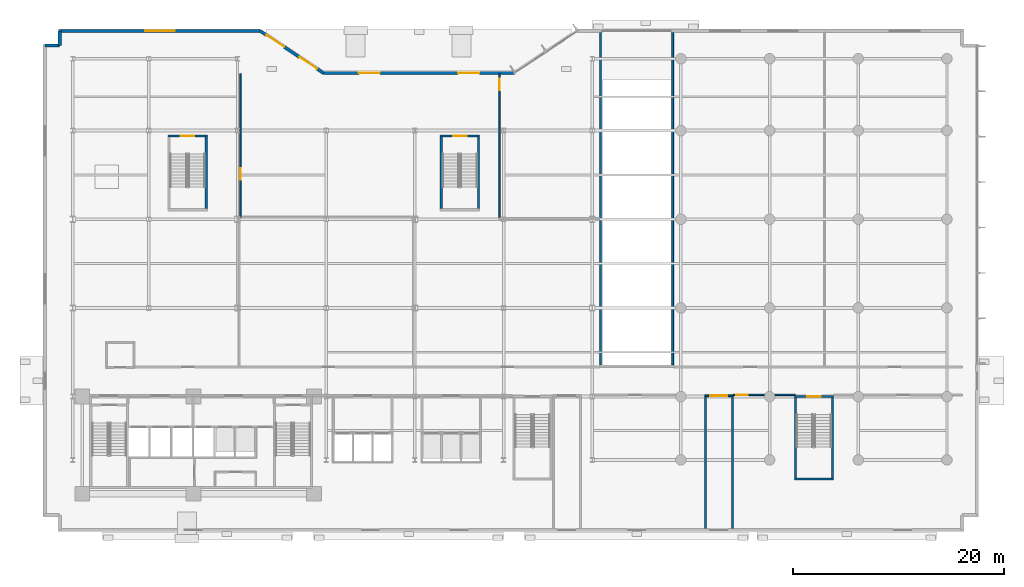
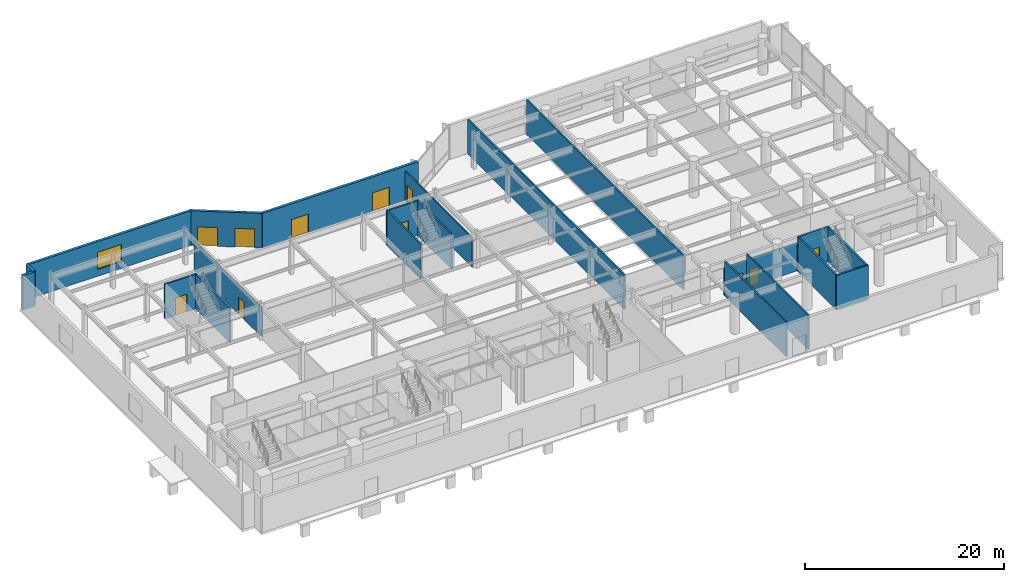
# One storey, part 16 of 26: 22 walls, 11 doors, 1 window, 12 openings.
"""IFC4 building model written with IfcOpenShell, lengths in metres."""

from ifc_helpers import new_model, si_unit, direction, frame, frame_2d, origin, place, context, subcontext, project, spatial, rectangle, extrude, material, layer, layer_set, type_object, element, fill, save


model = new_model("IFC4")

# Units and contexts
model_context = context("Model", 3, precision=1e-05, world=origin(), true_north=direction((0.0, 1.0)))
body_context = subcontext(model_context, "Body", "Model", "MODEL_VIEW")
ifc_project = project(units=[si_unit("LENGTHUNIT", "METRE"), si_unit("AREAUNIT", "SQUARE_METRE"), si_unit("VOLUMEUNIT", "CUBIC_METRE"), si_unit("PLANEANGLEUNIT", "RADIAN"), si_unit("MASSUNIT", "GRAM", prefix="KILO")], contexts=[model_context])

# Site, building, storey
site_placement = place(None, origin())
site = spatial("IfcSite", under=ifc_project, at=site_placement, CompositionType="ELEMENT")
building_placement = place(site_placement, origin())
building = spatial("IfcBuilding", under=site, at=building_placement, Name="Varnakote Quay Hospital", CompositionType="ELEMENT")
storey_placement = place(building_placement, origin())
storey = spatial("IfcBuildingStorey", under=building, at=storey_placement, Name="L00", CompositionType="ELEMENT", Elevation=0.0)

# Walls
ifc_material_1 = material(Name="Fire-rated acoustic gypsum stud wall", Category="gypsum")
ifc_layer_1 = layer(ifc_material_1, 0.159912109375)
ifc_layer_set_1 = layer_set([ifc_layer_1], Name="Fire-rated acoustic gypsum stud wall")
wall_type_1 = type_object("IfcWallType", Name="WL-COMP-160", PredefinedType="PARTITIONING", material=ifc_layer_set_1)
for number, where, z_axis, x_axis, name in (
    (1, (61.1201171875, -0.47998046875, 0.0), (0.0, 0.0, 1.0), (0.0, 1.0, 0.0), "L00 Protected Exit Passage EX3 West Wall"),
    (2, (63.679931640625, -0.47998046875, 0.0), (0.0, 0.0, 1.0), (0.0, 1.0, 0.0), "L00 Protected Exit Passage EX3 East Wall"),
):
    element("IfcWall", number, at=place(storey_placement, frame(where, z_axis=z_axis, x_axis=x_axis)), inside=storey, type_object=wall_type_1, Name=name, PredefinedType="PARTITIONING", context=body_context, shape_type="SweptSolid", body=[
        extrude(rectangle(XDim=12.47998046875, YDim=0.159912109375, at=frame_2d((6.239990234375, 0.0))), origin(), (0.0, 0.0, 1.0), 4.25),
    ])

# Wall, opening, door
wall_1_placement = place(storey_placement, frame((61.06005859375, 12.080078125, 0.0), z_axis=(0.0, 0.0, 1.0), x_axis=(1.0, 0.0, 0.0)))
wall_1 = element("IfcWall", 3, at=wall_1_placement, inside=storey, type_object=wall_type_1, Name="L00 Protected Exit Passage EX3 Smoke Door Wall", PredefinedType="PARTITIONING", context=body_context, shape_type="SweptSolid", body=[
    extrude(rectangle(XDim=2.679931640625, YDim=0.159912109375, at=frame_2d((1.33984375, 0.0))), origin(), (0.0, 0.0, 1.0), 3.425048828125),
])
opening_1_placement = place(wall_1_placement, frame((0.5400390625, 0.0, 0.0)))
opening_1 = element("IfcOpeningElement", 4, at=opening_1_placement, cuts=wall_1, Name="Opening D-EX3-L00", PredefinedType="OPENING", context=body_context, shape_type="SweptSolid", body=[
    extrude(rectangle(XDim=1.60009765625, YDim=2.050048828125, at=frame_2d((0.800048828125, 1.02490234375))), frame((0.0, 0.08984375, 0.0), z_axis=(0.0, -1.0, 0.0), x_axis=(1.0, 0.0, 0.0)), (0.0, 0.0, 1.0), 0.179931640625),
])
ifc_material_2 = material(Name="Fire-rated double smoke lobby door")
door_type_1 = type_object("IfcDoorType", Name="DR-LOBBY-FD60S-1600x2150", OperationType="NOTDEFINED", PredefinedType="DOOR", material=ifc_material_2)
door_1_placement = place(opening_1_placement, origin())
door_1 = element("IfcDoor", 5, at=door_1_placement, inside=storey, type_object=door_type_1, Name="L00 Protected Exit Passage EX3 Smoke Door", OperationType="DOUBLE_DOOR_SINGLE_SWING", OverallHeight=2.050048828125, OverallWidth=1.60009765625, PredefinedType="DOOR", context=body_context, shape_type="SweptSolid", body=[
    extrude(rectangle(XDim=1.60009765625, YDim=2.050048828125, at=frame_2d((0.800048828125, 1.02490234375))), frame((0.0, 0.02490234375, 0.0), z_axis=(0.0, -1.0, 0.0), x_axis=(1.0, 0.0, 0.0)), (0.0, 0.0, 1.0), 0.050048828125),
])
fill(opening_1, door_1)

# Walls
ifc_material_3 = material(Name="Fire-rated acoustic gypsum stud wall", Category="gypsum")
ifc_layer_2 = layer(ifc_material_3, 0.179931640625)
ifc_layer_set_2 = layer_set([ifc_layer_2], Name="Fire-rated acoustic gypsum stud wall")
wall_type_2 = type_object("IfcWallType", Name="WL-COMP-180", PredefinedType="PARTITIONING", material=ifc_layer_set_2)
for number, where, z_axis, x_axis, name in (
    (6, (51.179931640625, 14.969970703125, 0.0), (0.0, 0.0, 1.0), (0.0, 1.0, 0.0), "L00 Vehicle Ramp Portal West Enclosure Wall"),
    (7, (58.02001953125, 14.969970703125, 0.0), (0.0, 0.0, 1.0), (0.0, 1.0, 0.0), "L00 Vehicle Ramp Portal East Enclosure Wall"),
):
    element("IfcWall", number, at=place(storey_placement, frame(where, z_axis=z_axis, x_axis=x_axis)), inside=storey, type_object=wall_type_2, Name=name, PredefinedType="PARTITIONING", context=body_context, shape_type="SweptSolid", body=[
        extrude(rectangle(XDim=31.510009765625, YDim=0.179931640625, at=frame_2d((15.7548828125, 0.0))), origin(), (0.0, 0.0, 1.0), 4.25),
    ])

# Wall, openings, doors
ifc_material_4 = material(Name="Precast concrete N50 (f'c 50 MPa)", Category="concrete")
ifc_layer_3 = layer(ifc_material_4, 0.300048828125)
ifc_layer_set_3 = layer_set([ifc_layer_3], Name="Precast concrete N50 (f'c 50 MPa)")
wall_type_3 = type_object("IfcWallType", Name="WL-EXT-BRICK-300", PredefinedType="STANDARD", material=ifc_layer_set_3)
wall_2_placement = place(storey_placement, frame((24.95166015625, 42.639892578125, 0.0), z_axis=(0.0, 0.0, 1.0), x_axis=(1.0, 0.0, 0.0)))
wall_2 = element("IfcWall", 8, at=wall_2_placement, inside=storey, type_object=wall_type_3, Name="L00 Brick-Faced Precast Exterior Wall", PredefinedType="STANDARD", context=body_context, shape_type="SweptSolid", body=[
    extrude(rectangle(XDim=18.0966796875, YDim=0.300048828125, at=frame_2d((9.04833984375, 0.0))), origin(), (0.0, 0.0, 1.0), 4.25),
])
opening_2_placement = place(wall_2_placement, frame((3.34326171875, 0.0, 0.0)))
opening_2 = element("IfcOpeningElement", 9, at=opening_2_placement, cuts=wall_2, Name="Opening DE-L00-10", PredefinedType="OPENING", context=body_context, shape_type="SweptSolid", body=[
    extrude(rectangle(XDim=2.0, YDim=2.300048828125, at=frame_2d((1.0, 1.14990234375))), frame((0.0, 0.159912109375, 0.0), z_axis=(0.0, -1.0, 0.0), x_axis=(1.0, 0.0, 0.0)), (0.0, 0.0, 1.0), 0.320068359375),
])
opening_3_placement = place(wall_2_placement, frame((12.753662109375, 0.0, 0.0)))
opening_3 = element("IfcOpeningElement", 10, at=opening_3_placement, cuts=wall_2, Name="Opening DE-L00-11", PredefinedType="OPENING", context=body_context, shape_type="SweptSolid", body=[
    extrude(rectangle(XDim=2.0, YDim=2.300048828125, at=frame_2d((1.0, 1.14990234375))), frame((0.0, 0.159912109375, 0.0), z_axis=(0.0, -1.0, 0.0), x_axis=(1.0, 0.0, 0.0)), (0.0, 0.0, 1.0), 0.320068359375),
])
ifc_material_5 = material(Name="Anodised aluminium glazed entrance door", Category="aluminium")
door_type_2 = type_object("IfcDoorType", Name="DR-EXT-CONC-2000x2300", OperationType="NOTDEFINED", PredefinedType="DOOR", material=ifc_material_5)
door_2_placement = place(opening_2_placement, origin())
door_2 = element("IfcDoor", 11, at=door_2_placement, inside=storey, type_object=door_type_2, Name="L00 Street & Waterfront Pedestrian Final Exit Door", OperationType="DOUBLE_DOOR_SINGLE_SWING", OverallHeight=2.300048828125, OverallWidth=2.0, PredefinedType="DOOR", context=body_context, shape_type="SweptSolid", body=[
    extrude(rectangle(XDim=2.0, YDim=2.300048828125, at=frame_2d((1.0, 1.14990234375))), frame((0.0, 0.02490234375, 0.0), z_axis=(0.0, -1.0, 0.0), x_axis=(1.0, 0.0, 0.0)), (0.0, 0.0, 1.0), 0.050048828125),
])
fill(opening_2, door_2)
door_3_placement = place(opening_3_placement, origin())
door_3 = element("IfcDoor", 12, at=door_3_placement, inside=storey, type_object=door_type_2, Name="L00 Street & Waterfront Pedestrian Final Exit Door", OperationType="DOUBLE_DOOR_SINGLE_SWING", OverallHeight=2.300048828125, OverallWidth=2.0, PredefinedType="DOOR", context=body_context, shape_type="SweptSolid", body=[
    extrude(rectangle(XDim=2.0, YDim=2.300048828125, at=frame_2d((1.0, 1.14990234375))), frame((0.0, 0.02490234375, 0.0), z_axis=(0.0, -1.0, 0.0), x_axis=(1.0, 0.0, 0.0)), (0.0, 0.0, 1.0), 0.050048828125),
])
fill(opening_3, door_3)

wall_3_placement = place(storey_placement, frame((18.95166015625, 46.639892578125, 0.0), z_axis=(0.0, 0.0, 1.0), x_axis=(0.832050294338, -0.554700196225, 0.0)))
wall_3 = element("IfcWall", 13, at=wall_3_placement, inside=storey, type_object=wall_type_3, Name="L00 Brick-Faced Precast Exterior Wall", PredefinedType="STANDARD", context=body_context, shape_type="SweptSolid", body=[
    extrude(rectangle(XDim=7.211181640625, YDim=0.300048828125, at=frame_2d((3.60546875, 0.0))), origin(), (0.0, 0.0, 1.0), 4.25),
])
opening_4_placement = place(wall_3_placement, frame((0.730712890625, 0.0, 0.0)))
opening_4 = element("IfcOpeningElement", 14, at=opening_4_placement, cuts=wall_3, Name="Opening DE-L00-12", PredefinedType="OPENING", context=body_context, shape_type="SweptSolid", body=[
    extrude(rectangle(XDim=2.0, YDim=2.300048828125, at=frame_2d((1.0, 1.14990234375))), frame((0.0, 0.159912109375, 0.0), z_axis=(0.0, -1.0, 0.0), x_axis=(1.0, 0.0, 0.0)), (0.0, 0.0, 1.0), 0.320068359375),
])
opening_5_placement = place(wall_3_placement, frame((4.48046875, 0.0, 0.0)))
opening_5 = element("IfcOpeningElement", 15, at=opening_5_placement, cuts=wall_3, Name="Opening DE-L00-13", PredefinedType="OPENING", context=body_context, shape_type="SweptSolid", body=[
    extrude(rectangle(XDim=2.0, YDim=2.300048828125, at=frame_2d((1.0, 1.14990234375))), frame((0.0, 0.159912109375, 0.0), z_axis=(0.0, -1.0, 0.0), x_axis=(1.0, 0.0, 0.0)), (0.0, 0.0, 1.0), 0.320068359375),
])
door_4_placement = place(opening_4_placement, origin())
door_4 = element("IfcDoor", 16, at=door_4_placement, inside=storey, type_object=door_type_2, Name="L00 Street & Waterfront Pedestrian Final Exit Door", OperationType="DOUBLE_DOOR_SINGLE_SWING", OverallHeight=2.300048828125, OverallWidth=2.0, PredefinedType="DOOR", context=body_context, shape_type="SweptSolid", body=[
    extrude(rectangle(XDim=2.0, YDim=2.300048828125, at=frame_2d((1.0, 1.14990234375))), frame((0.0, 0.02490234375, 0.0), z_axis=(0.0, -1.0, 0.0), x_axis=(1.0, 0.0, 0.0)), (0.0, 0.0, 1.0), 0.050048828125),
])
fill(opening_4, door_4)
door_5_placement = place(opening_5_placement, origin())
door_5 = element("IfcDoor", 17, at=door_5_placement, inside=storey, type_object=door_type_2, Name="L00 Street & Waterfront Pedestrian Final Exit Door", OperationType="DOUBLE_DOOR_SINGLE_SWING", OverallHeight=2.300048828125, OverallWidth=2.0, PredefinedType="DOOR", context=body_context, shape_type="SweptSolid", body=[
    extrude(rectangle(XDim=2.0, YDim=2.300048828125, at=frame_2d((1.0, 1.14990234375))), frame((0.0, 0.02490234375, 0.0), z_axis=(0.0, -1.0, 0.0), x_axis=(1.0, 0.0, 0.0)), (0.0, 0.0, 1.0), 0.050048828125),
])
fill(opening_5, door_5)

# Wall, opening, window
wall_4_placement = place(storey_placement, frame((18.95166015625, 46.639892578125, 0.0), z_axis=(0.0, 0.0, 1.0), x_axis=(-1.0, 0.0, 0.0)))
wall_4 = element("IfcWall", 18, at=wall_4_placement, inside=storey, type_object=wall_type_3, Name="L00 Brick-Faced Precast Exterior Wall", PredefinedType="STANDARD", context=body_context, shape_type="SweptSolid", body=[
    extrude(rectangle(XDim=18.99169921875, YDim=0.300048828125, at=frame_2d((9.495849609375, 0.0))), origin(), (0.0, 0.0, 1.0), 4.25),
])
opening_6_placement = place(wall_4_placement, frame((8.095703125, 0.0, 0.85009765625)))
opening_6 = element("IfcOpeningElement", 19, at=opening_6_placement, cuts=wall_4, Name="Opening WN-0004", PredefinedType="OPENING", context=body_context, shape_type="SweptSolid", body=[
    extrude(rectangle(XDim=2.800048828125, YDim=2.10009765625, at=frame_2d((1.39990234375, 1.050048828125))), frame((0.0, 0.159912109375, 0.0), z_axis=(0.0, -1.0, 0.0), x_axis=(1.0, 0.0, 0.0)), (0.0, 0.0, 1.0), 0.320068359375),
])
ifc_material_6 = material(Name="Double-glazed acoustic laminated glass", Category="glass")
window_type = type_object("IfcWindowType", Name="WIN-POD-2800x2100", PartitioningType="SINGLE_PANEL", PredefinedType="WINDOW", material=ifc_material_6)
window_placement = place(opening_6_placement, origin())
window = element("IfcWindow", 20, at=window_placement, inside=storey, type_object=window_type, Name="L00 Solar-Control Clinical Window", OverallHeight=2.10009765625, OverallWidth=2.800048828125, PartitioningType="SINGLE_PANEL", PredefinedType="WINDOW", context=body_context, shape_type="SweptSolid", body=[
    extrude(rectangle(XDim=2.800048828125, YDim=2.10009765625, at=frame_2d((1.39990234375, 1.050048828125))), frame((0.0, 0.030029296875, 0.0), z_axis=(0.0, -1.0, 0.0), x_axis=(1.0, 0.0, 0.0)), (0.0, 0.0, 1.0), 0.06005859375),
])
fill(opening_6, window)

# Walls
for number, where, z_axis, x_axis, name in (
    (21, (-0.0400390625, 46.639892578125, 0.0), (0.0, 0.0, 1.0), (0.0, -1.0, 0.0), "L00 Brick-Faced Precast Exterior Wall"),
    (22, (-0.0400390625, 45.239990234375, 0.0), (0.0, 0.0, 1.0), (-1.0, 0.0, 0.0), "L00 Brick-Faced Precast Exterior Wall"),
):
    element("IfcWall", number, at=place(storey_placement, frame(where, z_axis=z_axis, x_axis=x_axis)), inside=storey, type_object=wall_type_3, Name=name, PredefinedType="STANDARD", context=body_context, shape_type="SweptSolid", body=[
        extrude(rectangle(XDim=1.39990234375, YDim=0.300048828125, at=frame_2d((0.699951171875, 0.0))), origin(), (0.0, 0.0, 1.0), 4.25),
    ])
ifc_material_7 = material(Name="Concrete N50 (f'c 50 MPa)", Category="concrete")
ifc_layer_4 = layer(ifc_material_7, 0.199951171875)
ifc_layer_set_4 = layer_set([ifc_layer_4], Name="Concrete N50 (f'c 50 MPa)")
wall_type_4 = type_object("IfcWallType", Name="WL-SHAFT-N50-200", PredefinedType="SHEAR", material=ifc_layer_set_4)
wall_5_placement = place(storey_placement, frame((69.550048828125, 4.199951171875, 0.0), z_axis=(0.0, 0.0, 1.0), x_axis=(1.0, 0.0, 0.0)))
element("IfcWall", 23, at=wall_5_placement, inside=storey, type_object=wall_type_4, Name="L00 Stair ST6 South Shaft Wall", PredefinedType="SHEAR", context=body_context, shape_type="SweptSolid", body=[
    extrude(rectangle(XDim=3.699951171875, YDim=0.199951171875, at=frame_2d((1.85009765625, 0.0))), origin(), (0.0, 0.0, 1.0), 4.25),
])
for number, where, z_axis, x_axis, name in (
    (24, (69.64990234375, 4.300048828125, 0.0), (0.0, 0.0, 1.0), (0.0, 1.0, 0.0), "L00 Stair ST6 West Shaft Wall"),
    (25, (73.14990234375, 4.300048828125, 0.0), (0.0, 0.0, 1.0), (0.0, 1.0, 0.0), "L00 Stair ST6 East Shaft Wall"),
):
    element("IfcWall", number, at=place(storey_placement, frame(where, z_axis=z_axis, x_axis=x_axis)), inside=storey, type_object=wall_type_4, Name=name, PredefinedType="SHEAR", context=body_context, shape_type="SweptSolid", body=[
        extrude(rectangle(XDim=7.599853515625, YDim=0.199951171875, at=frame_2d((3.7998046875, 0.0))), origin(), (0.0, 0.0, 1.0), 4.25),
    ])

# Wall, opening, door
wall_6_placement = place(storey_placement, frame((69.550048828125, 12.0, 0.0), z_axis=(0.0, 0.0, 1.0), x_axis=(1.0, 0.0, 0.0)))
wall_6 = element("IfcWall", 26, at=wall_6_placement, inside=storey, type_object=wall_type_4, Name="L00 Stair ST6 Exit Wall", PredefinedType="SHEAR", context=body_context, shape_type="SweptSolid", body=[
    extrude(rectangle(XDim=3.699951171875, YDim=0.199951171875, at=frame_2d((1.85009765625, 0.0))), origin(), (0.0, 0.0, 1.0), 4.25),
])
opening_7_placement = place(wall_6_placement, frame((1.199951171875, 0.0, 0.0)))
opening_7 = element("IfcOpeningElement", 27, at=opening_7_placement, cuts=wall_6, Name="Opening D-ST6-L00", PredefinedType="OPENING", context=body_context, shape_type="SweptSolid", body=[
    extrude(rectangle(XDim=1.300048828125, YDim=2.14990234375, at=frame_2d((0.64990234375, 1.074951171875))), frame((0.0, 0.10986328125, 0.0), z_axis=(0.0, -1.0, 0.0), x_axis=(1.0, 0.0, 0.0)), (0.0, 0.0, 1.0), 0.219970703125),
])
ifc_material_8 = material(Name="Fire-rated ceramic-glazed timber exit door", Category="wood")
door_type_3 = type_object("IfcDoorType", Name="DR-STAIR-FD60S-1300x2150", OperationType="NOTDEFINED", PredefinedType="DOOR", material=ifc_material_8)
door_6_placement = place(opening_7_placement, origin())
door_6 = element("IfcDoor", 28, at=door_6_placement, inside=storey, type_object=door_type_3, Name="L00 Stair ST6 Fire Exit Door", OperationType="SINGLE_SWING_RIGHT", OverallHeight=2.14990234375, OverallWidth=1.300048828125, PredefinedType="DOOR", context=body_context, shape_type="SweptSolid", body=[
    extrude(rectangle(XDim=1.300048828125, YDim=2.14990234375, at=frame_2d((0.64990234375, 1.074951171875))), frame((0.0, 0.02490234375, 0.0), z_axis=(0.0, -1.0, 0.0), x_axis=(1.0, 0.0, 0.0)), (0.0, 0.0, 1.0), 0.050048828125),
])
fill(opening_7, door_6)

# Wall
wall_7_placement = place(storey_placement, frame((13.840087890625, 29.800048828125, 0.0), z_axis=(0.0, 0.0, 1.0), x_axis=(0.0, 1.0, 0.0)))
element("IfcWall", 29, at=wall_7_placement, inside=storey, type_object=wall_type_4, Name="L00 Stair ST4 East Shaft Wall", PredefinedType="SHEAR", context=body_context, shape_type="SweptSolid", body=[
    extrude(rectangle(XDim=6.800048828125, YDim=0.199951171875, at=frame_2d((3.39990234375, 0.0))), origin(), (0.0, 0.0, 1.0), 4.25),
])

# Wall, opening, door
wall_8_placement = place(storey_placement, frame((10.199951171875, 36.699951171875, 0.0), z_axis=(0.0, 0.0, 1.0), x_axis=(1.0, 0.0, 0.0)))
wall_8 = element("IfcWall", 30, at=wall_8_placement, inside=storey, type_object=wall_type_4, Name="L00 Stair ST4 Exit Wall", PredefinedType="SHEAR", context=body_context, shape_type="SweptSolid", body=[
    extrude(rectangle(XDim=3.739990234375, YDim=0.199951171875, at=frame_2d((1.8701171875, 0.0))), origin(), (0.0, 0.0, 1.0), 4.25),
])
opening_8_placement = place(wall_8_placement, frame((1.219970703125, 0.0, 0.0)))
opening_8 = element("IfcOpeningElement", 31, at=opening_8_placement, cuts=wall_8, Name="Opening D-ST4-L00", PredefinedType="OPENING", context=body_context, shape_type="SweptSolid", body=[
    extrude(rectangle(XDim=1.300048828125, YDim=2.14990234375, at=frame_2d((0.64990234375, 1.074951171875))), frame((0.0, 0.10986328125, 0.0), z_axis=(0.0, -1.0, 0.0), x_axis=(1.0, 0.0, 0.0)), (0.0, 0.0, 1.0), 0.219970703125),
])
door_7_placement = place(opening_8_placement, origin())
door_7 = element("IfcDoor", 32, at=door_7_placement, inside=storey, type_object=door_type_3, Name="L00 Stair ST4 Fire Exit Door", OperationType="SINGLE_SWING_LEFT", OverallHeight=2.14990234375, OverallWidth=1.300048828125, PredefinedType="DOOR", context=body_context, shape_type="SweptSolid", body=[
    extrude(rectangle(XDim=1.300048828125, YDim=2.14990234375, at=frame_2d((0.64990234375, 1.074951171875))), frame((0.0, 0.02490234375, 0.0), z_axis=(0.0, -1.0, 0.0), x_axis=(1.0, 0.0, 0.0)), (0.0, 0.0, 1.0), 0.050048828125),
])
fill(opening_8, door_7)

# Walls
for number, where, z_axis, x_axis, name in (
    (33, (36.10009765625, 29.800048828125, 0.0), (0.0, 0.0, 1.0), (0.0, 1.0, 0.0), "L00 Stair ST5 West Shaft Wall"),
    (34, (39.639892578125, 29.800048828125, 0.0), (0.0, 0.0, 1.0), (0.0, 1.0, 0.0), "L00 Stair ST5 East Shaft Wall"),
):
    element("IfcWall", number, at=place(storey_placement, frame(where, z_axis=z_axis, x_axis=x_axis)), inside=storey, type_object=wall_type_4, Name=name, PredefinedType="SHEAR", context=body_context, shape_type="SweptSolid", body=[
        extrude(rectangle(XDim=6.800048828125, YDim=0.199951171875, at=frame_2d((3.39990234375, 0.0))), origin(), (0.0, 0.0, 1.0), 4.25),
    ])

# Wall, opening, door
wall_9_placement = place(storey_placement, frame((36.0, 36.699951171875, 0.0), z_axis=(0.0, 0.0, 1.0), x_axis=(1.0, 0.0, 0.0)))
wall_9 = element("IfcWall", 35, at=wall_9_placement, inside=storey, type_object=wall_type_4, Name="L00 Stair ST5 Exit Wall", PredefinedType="SHEAR", context=body_context, shape_type="SweptSolid", body=[
    extrude(rectangle(XDim=3.739990234375, YDim=0.199951171875, at=frame_2d((1.8701171875, 0.0))), origin(), (0.0, 0.0, 1.0), 4.25),
])
opening_9_placement = place(wall_9_placement, frame((1.219970703125, 0.0, 0.0)))
opening_9 = element("IfcOpeningElement", 36, at=opening_9_placement, cuts=wall_9, Name="Opening D-ST5-L00", PredefinedType="OPENING", context=body_context, shape_type="SweptSolid", body=[
    extrude(rectangle(XDim=1.300048828125, YDim=2.14990234375, at=frame_2d((0.64990234375, 1.074951171875))), frame((0.0, 0.10986328125, 0.0), z_axis=(0.0, -1.0, 0.0), x_axis=(1.0, 0.0, 0.0)), (0.0, 0.0, 1.0), 0.219970703125),
])
door_8_placement = place(opening_9_placement, origin())
door_8 = element("IfcDoor", 37, at=door_8_placement, inside=storey, type_object=door_type_3, Name="L00 Stair ST5 Fire Exit Door", OperationType="SINGLE_SWING_RIGHT", OverallHeight=2.14990234375, OverallWidth=1.300048828125, PredefinedType="DOOR", context=body_context, shape_type="SweptSolid", body=[
    extrude(rectangle(XDim=1.300048828125, YDim=2.14990234375, at=frame_2d((0.64990234375, 1.074951171875))), frame((0.0, 0.02490234375, 0.0), z_axis=(0.0, -1.0, 0.0), x_axis=(1.0, 0.0, 0.0)), (0.0, 0.0, 1.0), 0.050048828125),
])
fill(opening_9, door_8)

ifc_material_9 = material(Name="Smoke-proof clinical partition", Category="gypsum")
ifc_layer_5 = layer(ifc_material_9, 0.135009765625)
ifc_layer_set_5 = layer_set([ifc_layer_5], Name="Smoke-proof clinical partition")
wall_type_5 = type_object("IfcWallType", Name="WL-SMOKE-135", PredefinedType="PARTITIONING", material=ifc_layer_set_5)
wall_10_placement = place(storey_placement, frame((17.10009765625, 42.60009765625, 0.0), z_axis=(0.0, 0.0, 1.0), x_axis=(0.0, -1.0, 0.0)))
wall_10 = element("IfcWall", 38, at=wall_10_placement, inside=storey, type_object=wall_type_5, Name="L00 Clinical Interior Partition", PredefinedType="PARTITIONING", context=body_context, shape_type="SweptSolid", body=[
    extrude(rectangle(XDim=13.60009765625, YDim=0.135009765625, at=frame_2d((6.800048828125, 0.0))), origin(), (0.0, 0.0, 1.0), 3.623046875),
])
opening_10_placement = place(wall_10_placement, frame((8.972412109375, 0.0, 0.0)))
opening_10 = element("IfcOpeningElement", 39, at=opening_10_placement, cuts=wall_10, Name="Opening D-L00-CONC", PredefinedType="OPENING", context=body_context, shape_type="SweptSolid", body=[
    extrude(rectangle(XDim=1.10009765625, YDim=2.10009765625, at=frame_2d((0.550048828125, 1.050048828125))), frame((0.0, 0.077392578125, 0.0), z_axis=(0.0, -1.0, 0.0), x_axis=(1.0, 0.0, 0.0)), (0.0, 0.0, 1.0), 0.155029296875),
])
ifc_material_10 = material(Name="Acoustic timber clinical consult door", Category="wood")
door_type_4 = type_object("IfcDoorType", Name="DR-CLIN-FD30S-1100x2100", OperationType="NOTDEFINED", PredefinedType="DOOR", material=ifc_material_10)
door_9_placement = place(opening_10_placement, origin())
door_9 = element("IfcDoor", 40, at=door_9_placement, inside=storey, type_object=door_type_4, Name="L00 Waterfront Public Arrival Concourse Door", OperationType="SINGLE_SWING_LEFT", OverallHeight=2.10009765625, OverallWidth=1.10009765625, PredefinedType="DOOR", context=body_context, shape_type="SweptSolid", body=[
    extrude(rectangle(XDim=1.10009765625, YDim=2.10009765625, at=frame_2d((0.550048828125, 1.050048828125))), frame((0.0, 0.02490234375, 0.0), z_axis=(0.0, -1.0, 0.0), x_axis=(1.0, 0.0, 0.0)), (0.0, 0.0, 1.0), 0.050048828125),
])
fill(opening_10, door_9)

wall_11_placement = place(storey_placement, frame((41.60009765625, 29.0, 0.0), z_axis=(0.0, 0.0, 1.0), x_axis=(0.0, 1.0, 0.0)))
wall_11 = element("IfcWall", 41, at=wall_11_placement, inside=storey, type_object=wall_type_5, Name="L00 Clinical Interior Partition", PredefinedType="PARTITIONING", context=body_context, shape_type="SweptSolid", body=[
    extrude(rectangle(XDim=13.60009765625, YDim=0.135009765625, at=frame_2d((6.800048828125, 0.0))), origin(), (0.0, 0.0, 1.0), 3.623046875),
])
opening_11_placement = place(wall_11_placement, frame((11.99755859375, 0.0, 0.0)))
opening_11 = element("IfcOpeningElement", 42, at=opening_11_placement, cuts=wall_11, Name="Opening D-L00-CAFE", PredefinedType="OPENING", context=body_context, shape_type="SweptSolid", body=[
    extrude(rectangle(XDim=1.10009765625, YDim=2.10009765625, at=frame_2d((0.550048828125, 1.050048828125))), frame((0.0, 0.077392578125, 0.0), z_axis=(0.0, -1.0, 0.0), x_axis=(1.0, 0.0, 0.0)), (0.0, 0.0, 1.0), 0.155029296875),
])
door_10_placement = place(opening_11_placement, origin())
door_10 = element("IfcDoor", 43, at=door_10_placement, inside=storey, type_object=door_type_4, Name="L00 Broadwater Waterfront Hospital Dining Cafe Door", OperationType="SINGLE_SWING_RIGHT", OverallHeight=2.10009765625, OverallWidth=1.10009765625, PredefinedType="DOOR", context=body_context, shape_type="SweptSolid", body=[
    extrude(rectangle(XDim=1.10009765625, YDim=2.10009765625, at=frame_2d((0.550048828125, 1.050048828125))), frame((0.0, 0.02490234375, 0.0), z_axis=(0.0, -1.0, 0.0), x_axis=(1.0, 0.0, 0.0)), (0.0, 0.0, 1.0), 0.050048828125),
])
fill(opening_11, door_10)

ifc_material_11 = material(Name="Fire-rated clinical gypsum partition", Category="gypsum")
ifc_layer_6 = layer(ifc_material_11, 0.14990234375)
ifc_layer_set_6 = layer_set([ifc_layer_6], Name="Fire-rated clinical gypsum partition")
wall_type_6 = type_object("IfcWallType", Name="WL-WARD-150", PredefinedType="PARTITIONING", material=ifc_layer_set_6)
wall_12_placement = place(storey_placement, frame((63.741943359375, 12.159912109375, 0.0), z_axis=(0.0, 0.0, 1.0), x_axis=(1.0, 0.0, 0.0)))
wall_12 = element("IfcWall", 44, at=wall_12_placement, inside=storey, type_object=wall_type_6, Name="L00 Clinical Interior Partition", PredefinedType="PARTITIONING", context=body_context, shape_type="SweptSolid", body=[
    extrude(rectangle(XDim=5.886474609375, YDim=0.14990234375, at=frame_2d((2.943359375, 0.0))), origin(), (0.0, 0.0, 1.0), 3.425048828125),
])
opening_12_placement = place(wall_12_placement, frame((0.309814453125, 0.0, 0.0)))
opening_12 = element("IfcOpeningElement", 45, at=opening_12_placement, cuts=wall_12, Name="Opening D-L00-EADM", PredefinedType="OPENING", context=body_context, shape_type="SweptSolid", body=[
    extrude(rectangle(XDim=1.10009765625, YDim=2.10009765625, at=frame_2d((0.550048828125, 1.050048828125))), frame((0.0, 0.0849609375, 0.0), z_axis=(0.0, -1.0, 0.0), x_axis=(1.0, 0.0, 0.0)), (0.0, 0.0, 1.0), 0.169921875),
])
door_11_placement = place(opening_12_placement, origin())
door_11 = element("IfcDoor", 46, at=door_11_placement, inside=storey, type_object=door_type_4, Name="L00 Outpatient Specialist Admissions Office Door", OperationType="SINGLE_SWING_RIGHT", OverallHeight=2.10009765625, OverallWidth=1.10009765625, PredefinedType="DOOR", context=body_context, shape_type="SweptSolid", body=[
    extrude(rectangle(XDim=1.10009765625, YDim=2.10009765625, at=frame_2d((0.550048828125, 1.050048828125))), frame((0.0, 0.02490234375, 0.0), z_axis=(0.0, -1.0, 0.0), x_axis=(1.0, 0.0, 0.0)), (0.0, 0.0, 1.0), 0.050048828125),
])
fill(opening_12, door_11)

save(model, "model.ifc")
